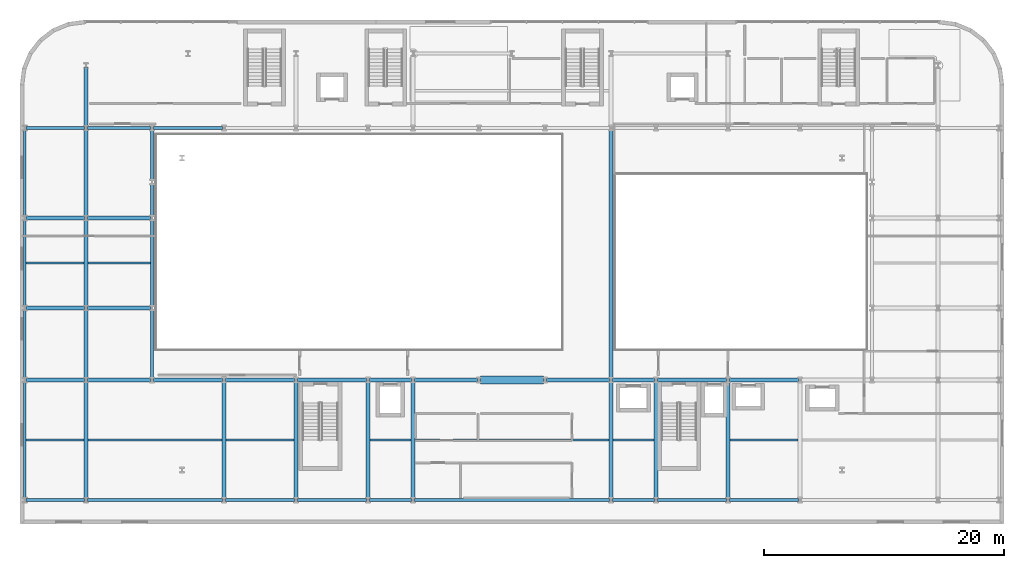
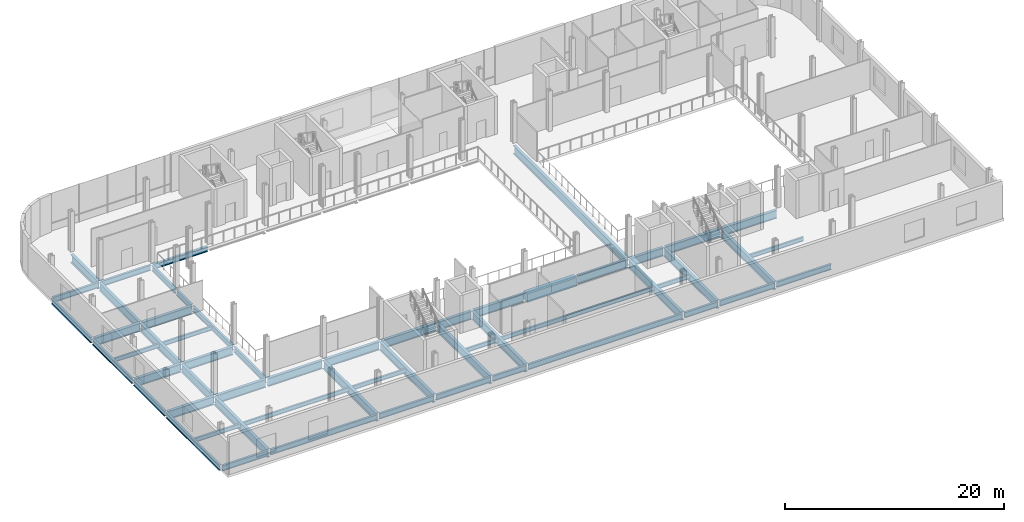
# One storey, part 3 of 25: 58 beams.
"""IFC4 building model written with IfcOpenShell, lengths in metres."""

from ifc_helpers import new_model, si_unit, direction, frame, origin, origin_2d, place, context, subcontext, project, spatial, rectangle, i_section, extrude, material, material_profile, profile_set, type_object, element, save


model = new_model("IFC4")

# Units and contexts
model_context = context("Model", 3, precision=1e-05, world=origin(), true_north=direction((0.0, 1.0)))
body_context = subcontext(model_context, "Body", "Model", "MODEL_VIEW")
ifc_project = project(units=[si_unit("LENGTHUNIT", "METRE"), si_unit("AREAUNIT", "SQUARE_METRE"), si_unit("VOLUMEUNIT", "CUBIC_METRE"), si_unit("PLANEANGLEUNIT", "RADIAN"), si_unit("MASSUNIT", "GRAM", prefix="KILO")], contexts=[model_context])

# Site, building, storey
site_placement = place(None, origin())
site = spatial("IfcSite", under=ifc_project, at=site_placement, CompositionType="ELEMENT")
building_placement = place(site_placement, origin())
building = spatial("IfcBuilding", under=site, at=building_placement, Name="Brevholm Reach", CompositionType="ELEMENT")
storey_placement = place(building_placement, frame((0.0, 0.0, 9.0)))
storey = spatial("IfcBuildingStorey", under=building, at=storey_placement, Name="L02", CompositionType="ELEMENT", Elevation=9.0)

# Beams
ifc_material_1 = material(Name="Structural Steel S355J2", Category="steel")
ifc_material_profile_1 = material_profile(ifc_material_1, i_section(OverallWidth=0.1904296875, OverallDepth=0.45703125, WebThickness=0.009033203125, FlangeThickness=0.014404296875, FilletRadius=0.01025390625, at=origin_2d()), Name="UKB 457x191x74")
ifc_profile_set_1 = profile_set([ifc_material_profile_1], Name="Structural Steel S355J2")
beam_type_1 = type_object("IfcBeamType", Name="BM-B457", PredefinedType="BEAM", material=ifc_profile_set_1)
beam_1_placement = place(storey_placement, frame((-10.485595703125, 5.0, -0.508544921875), z_axis=(1.0, 0.0, 0.0), x_axis=(0.0, 1.0, 0.0)))
element("IfcBeam", 1, at=beam_1_placement, inside=storey, type_object=beam_type_1, Name="L02 Composite Secondary Floor Beam", PredefinedType="BEAM", context=body_context, shape_type="SweptSolid", body=[
    extrude(i_section(OverallWidth=0.1904296875, OverallDepth=0.45703125, WebThickness=0.009033203125, FlangeThickness=0.014404296875, FilletRadius=0.01025390625, at=origin_2d()), origin(), (0.0, 0.0, 1.0), 4.831787109375),
])
beam_2_placement = place(storey_placement, frame((-5.34619140625, 5.0, -0.508544921875), z_axis=(1.0, 0.0, 0.0), x_axis=(0.0, 1.0, 0.0)))
element("IfcBeam", 2, at=beam_2_placement, inside=storey, type_object=beam_type_1, Name="L02 Composite Secondary Floor Beam", PredefinedType="BEAM", context=body_context, shape_type="SweptSolid", body=[
    extrude(i_section(OverallWidth=0.1904296875, OverallDepth=0.45703125, WebThickness=0.009033203125, FlangeThickness=0.014404296875, FilletRadius=0.01025390625, at=origin_2d()), origin(), (0.0, 0.0, 1.0), 11.1923828125),
])
beam_3_placement = place(storey_placement, frame((6.15380859375, 5.0, -0.508544921875), z_axis=(1.0, 0.0, 0.0), x_axis=(0.0, 1.0, 0.0)))
element("IfcBeam", 3, at=beam_3_placement, inside=storey, type_object=beam_type_1, Name="L02 Composite Secondary Floor Beam", PredefinedType="BEAM", context=body_context, shape_type="SweptSolid", body=[
    extrude(i_section(OverallWidth=0.1904296875, OverallDepth=0.45703125, WebThickness=0.009033203125, FlangeThickness=0.014404296875, FilletRadius=0.01025390625, at=origin_2d()), origin(), (0.0, 0.0, 1.0), 5.6923828125),
])
beam_4_placement = place(storey_placement, frame((18.15380859375, 5.0, -0.508544921875), z_axis=(1.0, 0.0, 0.0), x_axis=(0.0, 1.0, 0.0)))
element("IfcBeam", 4, at=beam_4_placement, inside=storey, type_object=beam_type_1, Name="L02 Composite Secondary Floor Beam", PredefinedType="BEAM", context=body_context, shape_type="SweptSolid", body=[
    extrude(i_section(OverallWidth=0.1904296875, OverallDepth=0.45703125, WebThickness=0.009033203125, FlangeThickness=0.014404296875, FilletRadius=0.01025390625, at=origin_2d()), origin(), (0.0, 0.0, 1.0), 3.4423828125),
])
beam_5_placement = place(storey_placement, frame((21.90380859375, 5.0, -0.508544921875), z_axis=(1.0, 0.0, 0.0), x_axis=(0.0, 1.0, 0.0)))
element("IfcBeam", 5, at=beam_5_placement, inside=storey, type_object=beam_type_1, Name="L02 Composite Secondary Floor Beam", PredefinedType="BEAM", context=body_context, shape_type="SweptSolid", body=[
    extrude(i_section(OverallWidth=0.1904296875, OverallDepth=0.45703125, WebThickness=0.009033203125, FlangeThickness=0.014404296875, FilletRadius=0.01025390625, at=origin_2d()), origin(), (0.0, 0.0, 1.0), 16.1923828125),
])
beam_6_placement = place(storey_placement, frame((38.40380859375, 5.0, -0.508544921875), z_axis=(1.0, 0.0, 0.0), x_axis=(0.0, 1.0, 0.0)))
element("IfcBeam", 6, at=beam_6_placement, inside=storey, type_object=beam_type_1, Name="L02 Composite Secondary Floor Beam", PredefinedType="BEAM", context=body_context, shape_type="SweptSolid", body=[
    extrude(i_section(OverallWidth=0.1904296875, OverallDepth=0.45703125, WebThickness=0.009033203125, FlangeThickness=0.014404296875, FilletRadius=0.01025390625, at=origin_2d()), origin(), (0.0, 0.0, 1.0), 3.4423828125),
])
beam_7_placement = place(storey_placement, frame((48.15380859375, 5.0, -0.508544921875), z_axis=(1.0, 0.0, 0.0), x_axis=(0.0, 1.0, 0.0)))
element("IfcBeam", 7, at=beam_7_placement, inside=storey, type_object=beam_type_1, Name="L02 Composite Secondary Floor Beam", PredefinedType="BEAM", context=body_context, shape_type="SweptSolid", body=[
    extrude(i_section(OverallWidth=0.1904296875, OverallDepth=0.45703125, WebThickness=0.009033203125, FlangeThickness=0.014404296875, FilletRadius=0.01025390625, at=origin_2d()), origin(), (0.0, 0.0, 1.0), 5.6923828125),
])
beam_8_placement = place(storey_placement, frame((-10.485595703125, 19.75, -0.508544921875), z_axis=(1.0, 0.0, 0.0), x_axis=(0.0, 1.0, 0.0)))
element("IfcBeam", 8, at=beam_8_placement, inside=storey, type_object=beam_type_1, Name="L02 Composite Secondary Floor Beam", PredefinedType="BEAM", context=body_context, shape_type="SweptSolid", body=[
    extrude(i_section(OverallWidth=0.1904296875, OverallDepth=0.45703125, WebThickness=0.009033203125, FlangeThickness=0.014404296875, FilletRadius=0.01025390625, at=origin_2d()), origin(), (0.0, 0.0, 1.0), 4.831787109375),
])
beam_9_placement = place(storey_placement, frame((-5.34619140625, 19.75, -0.508544921875), z_axis=(1.0, 0.0, 0.0), x_axis=(0.0, 1.0, 0.0)))
element("IfcBeam", 9, at=beam_9_placement, inside=storey, type_object=beam_type_1, Name="L02 Composite Secondary Floor Beam", PredefinedType="BEAM", context=body_context, shape_type="SweptSolid", body=[
    extrude(i_section(OverallWidth=0.1904296875, OverallDepth=0.45703125, WebThickness=0.009033203125, FlangeThickness=0.014404296875, FilletRadius=0.01025390625, at=origin_2d()), origin(), (0.0, 0.0, 1.0), 5.231689453125),
])
ifc_material_2 = material(Name="Concrete C60/75", Category="concrete")
ifc_material_profile_2 = material_profile(ifc_material_2, rectangle(XDim=0.64990234375, YDim=0.949951171875, at=origin_2d()), Name="RC 650x950")
ifc_profile_set_2 = profile_set([ifc_material_profile_2], Name="Concrete C60/75")
beam_type_2 = type_object("IfcBeamType", Name="BM-CB650", PredefinedType="LINTEL", material=ifc_profile_set_2)
beam_10_placement = place(storey_placement, frame((27.3701171875, 10.0, -0.7548828125), z_axis=(1.0, 0.0, 0.0), x_axis=(0.0, 1.0, 0.0)))
element("IfcBeam", 10, at=beam_10_placement, inside=storey, type_object=beam_type_2, Name="L02 CB-01 Framing Beam", PredefinedType="LINTEL", context=body_context, shape_type="SweptSolid", body=[
    extrude(rectangle(XDim=0.64990234375, YDim=0.949951171875, at=origin_2d()), origin(), (0.0, 0.0, 1.0), 5.259765625),
])
ifc_material_3 = material(Name="Structural Steel S355J2", Category="steel")
ifc_material_profile_3 = material_profile(ifc_material_3, i_section(OverallWidth=0.22900390625, OverallDepth=0.6123046875, WebThickness=0.011962890625, FlangeThickness=0.01953125, FilletRadius=0.0126953125, at=origin_2d()), Name="UKB 610x229x125")
ifc_profile_set_3 = profile_set([ifc_material_profile_3], Name="Structural Steel S355J2")
beam_type_3 = type_object("IfcBeamType", Name="BM-SP610", PredefinedType="SPANDREL", material=ifc_profile_set_3)
beam_11_placement = place(storey_placement, frame((-10.47998046875, 0.0, -0.586181640625), z_axis=(1.0, 0.0, 0.0), x_axis=(0.0, 1.0, 0.0)))
element("IfcBeam", 11, at=beam_11_placement, inside=storey, type_object=beam_type_3, Name="L02 SP-01 Framing Beam", PredefinedType="SPANDREL", context=body_context, shape_type="SweptSolid", body=[
    extrude(i_section(OverallWidth=0.22900390625, OverallDepth=0.6123046875, WebThickness=0.011962890625, FlangeThickness=0.01953125, FilletRadius=0.0126953125, at=origin_2d()), origin(), (0.0, 0.0, 1.0), 4.85986328125),
])
beam_12_placement = place(storey_placement, frame((-5.3798828125, 0.0, -0.586181640625), z_axis=(1.0, 0.0, 0.0), x_axis=(0.0, 1.0, 0.0)))
element("IfcBeam", 12, at=beam_12_placement, inside=storey, type_object=beam_type_3, Name="L02 SP-01 Framing Beam", PredefinedType="SPANDREL", context=body_context, shape_type="SweptSolid", body=[
    extrude(i_section(OverallWidth=0.22900390625, OverallDepth=0.6123046875, WebThickness=0.011962890625, FlangeThickness=0.01953125, FilletRadius=0.0126953125, at=origin_2d()), origin(), (0.0, 0.0, 1.0), 11.259765625),
])
for number, where, z_axis, x_axis, name in (
    (13, (6.1201171875, 0.0, -0.586181640625), (1.0, 0.0, 0.0), (0.0, 1.0, 0.0), "L02 SP-01 Framing Beam"),
    (14, (12.1201171875, 0.0, -0.586181640625), (1.0, 0.0, 0.0), (0.0, 1.0, 0.0), "L02 SP-01 Framing Beam"),
):
    element("IfcBeam", number, at=place(storey_placement, frame(where, z_axis=z_axis, x_axis=x_axis)), inside=storey, type_object=beam_type_3, Name=name, PredefinedType="SPANDREL", context=body_context, shape_type="SweptSolid", body=[
        extrude(i_section(OverallWidth=0.22900390625, OverallDepth=0.6123046875, WebThickness=0.011962890625, FlangeThickness=0.01953125, FilletRadius=0.0126953125, at=origin_2d()), origin(), (0.0, 0.0, 1.0), 5.759765625),
    ])
beam_13_placement = place(storey_placement, frame((18.1201171875, 0.0, -0.586181640625), z_axis=(1.0, 0.0, 0.0), x_axis=(0.0, 1.0, 0.0)))
element("IfcBeam", 15, at=beam_13_placement, inside=storey, type_object=beam_type_3, Name="L02 SP-01 Framing Beam", PredefinedType="SPANDREL", context=body_context, shape_type="SweptSolid", body=[
    extrude(i_section(OverallWidth=0.22900390625, OverallDepth=0.6123046875, WebThickness=0.011962890625, FlangeThickness=0.01953125, FilletRadius=0.0126953125, at=origin_2d()), origin(), (0.0, 0.0, 1.0), 3.509765625),
])
beam_14_placement = place(storey_placement, frame((21.8701171875, 0.0, -0.586181640625), z_axis=(1.0, 0.0, 0.0), x_axis=(0.0, 1.0, 0.0)))
element("IfcBeam", 16, at=beam_14_placement, inside=storey, type_object=beam_type_3, Name="L02 SP-01 Framing Beam", PredefinedType="SPANDREL", context=body_context, shape_type="SweptSolid", body=[
    extrude(i_section(OverallWidth=0.22900390625, OverallDepth=0.6123046875, WebThickness=0.011962890625, FlangeThickness=0.01953125, FilletRadius=0.0126953125, at=origin_2d()), origin(), (0.0, 0.0, 1.0), 16.259765625),
])
beam_15_placement = place(storey_placement, frame((38.3701171875, 0.0, -0.586181640625), z_axis=(1.0, 0.0, 0.0), x_axis=(0.0, 1.0, 0.0)))
element("IfcBeam", 17, at=beam_15_placement, inside=storey, type_object=beam_type_3, Name="L02 SP-01 Framing Beam", PredefinedType="SPANDREL", context=body_context, shape_type="SweptSolid", body=[
    extrude(i_section(OverallWidth=0.22900390625, OverallDepth=0.6123046875, WebThickness=0.011962890625, FlangeThickness=0.01953125, FilletRadius=0.0126953125, at=origin_2d()), origin(), (0.0, 0.0, 1.0), 3.509765625),
])
for number, where, z_axis, x_axis, name in (
    (18, (42.1201171875, 0.0, -0.586181640625), (1.0, 0.0, 0.0), (0.0, 1.0, 0.0), "L02 SP-01 Framing Beam"),
    (19, (48.1201171875, 0.0, -0.586181640625), (1.0, 0.0, 0.0), (0.0, 1.0, 0.0), "L02 SP-01 Framing Beam"),
):
    element("IfcBeam", number, at=place(storey_placement, frame(where, z_axis=z_axis, x_axis=x_axis)), inside=storey, type_object=beam_type_3, Name=name, PredefinedType="SPANDREL", context=body_context, shape_type="SweptSolid", body=[
        extrude(i_section(OverallWidth=0.22900390625, OverallDepth=0.6123046875, WebThickness=0.011962890625, FlangeThickness=0.01953125, FilletRadius=0.0126953125, at=origin_2d()), origin(), (0.0, 0.0, 1.0), 5.759765625),
    ])
beam_16_placement = place(storey_placement, frame((-10.47998046875, 31.0, -0.586181640625), z_axis=(1.0, 0.0, 0.0), x_axis=(0.0, 1.0, 0.0)))
element("IfcBeam", 20, at=beam_16_placement, inside=storey, type_object=beam_type_3, Name="L02 SP-01 Framing Beam", PredefinedType="SPANDREL", context=body_context, shape_type="SweptSolid", body=[
    extrude(i_section(OverallWidth=0.22900390625, OverallDepth=0.6123046875, WebThickness=0.011962890625, FlangeThickness=0.01953125, FilletRadius=0.0126953125, at=origin_2d()), origin(), (0.0, 0.0, 1.0), 4.85986328125),
])
beam_17_placement = place(storey_placement, frame((-5.3798828125, 31.0, -0.586181640625), z_axis=(1.0, 0.0, 0.0), x_axis=(0.0, 1.0, 0.0)))
element("IfcBeam", 21, at=beam_17_placement, inside=storey, type_object=beam_type_3, Name="L02 SP-01 Framing Beam", PredefinedType="SPANDREL", context=body_context, shape_type="SweptSolid", body=[
    extrude(i_section(OverallWidth=0.22900390625, OverallDepth=0.6123046875, WebThickness=0.011962890625, FlangeThickness=0.01953125, FilletRadius=0.0126953125, at=origin_2d()), origin(), (0.0, 0.0, 1.0), 5.259765625),
])
beam_18_placement = place(storey_placement, frame((0.1201171875, 31.0, -0.586181640625), z_axis=(1.0, 0.0, 0.0), x_axis=(0.0, 1.0, 0.0)))
element("IfcBeam", 22, at=beam_18_placement, inside=storey, type_object=beam_type_3, Name="L02 SP-01 Framing Beam", PredefinedType="SPANDREL", context=body_context, shape_type="SweptSolid", body=[
    extrude(i_section(OverallWidth=0.22900390625, OverallDepth=0.6123046875, WebThickness=0.011962890625, FlangeThickness=0.01953125, FilletRadius=0.0126953125, at=origin_2d()), origin(), (0.0, 0.0, 1.0), 5.759765625),
])
beam_19_placement = place(storey_placement, frame((-10.60009765625, 0.1201171875, -0.586181640625), z_axis=(0.0, 1.0, 0.0), x_axis=(-1.0, 0.0, 0.0)))
element("IfcBeam", 23, at=beam_19_placement, inside=storey, type_object=beam_type_3, Name="L02 SP-01 Framing Beam", PredefinedType="SPANDREL", context=body_context, shape_type="SweptSolid", body=[
    extrude(i_section(OverallWidth=0.22900390625, OverallDepth=0.6123046875, WebThickness=0.011962890625, FlangeThickness=0.01953125, FilletRadius=0.0126953125, at=origin_2d()), origin(), (0.0, 0.0, 1.0), 9.759765625),
])
beam_20_placement = place(storey_placement, frame((-10.60009765625, 10.1201171875, -0.586181640625), z_axis=(0.0, 1.0, 0.0), x_axis=(-1.0, 0.0, 0.0)))
element("IfcBeam", 24, at=beam_20_placement, inside=storey, type_object=beam_type_3, Name="L02 SP-01 Framing Beam", PredefinedType="SPANDREL", context=body_context, shape_type="SweptSolid", body=[
    extrude(i_section(OverallWidth=0.22900390625, OverallDepth=0.6123046875, WebThickness=0.011962890625, FlangeThickness=0.01953125, FilletRadius=0.0126953125, at=origin_2d()), origin(), (0.0, 0.0, 1.0), 5.759765625),
])
for number, where, z_axis, x_axis, name in (
    (25, (-10.60009765625, 16.1201171875, -0.586181640625), (0.0, 1.0, 0.0), (-1.0, 0.0, 0.0), "L02 SP-01 Framing Beam"),
    (26, (-10.60009765625, 23.6201171875, -0.586181640625), (0.0, 1.0, 0.0), (-1.0, 0.0, 0.0), "L02 SP-01 Framing Beam"),
):
    element("IfcBeam", number, at=place(storey_placement, frame(where, z_axis=z_axis, x_axis=x_axis)), inside=storey, type_object=beam_type_3, Name=name, PredefinedType="SPANDREL", context=body_context, shape_type="SweptSolid", body=[
        extrude(i_section(OverallWidth=0.22900390625, OverallDepth=0.6123046875, WebThickness=0.011962890625, FlangeThickness=0.01953125, FilletRadius=0.0126953125, at=origin_2d()), origin(), (0.0, 0.0, 1.0), 7.259765625),
    ])
beam_21_placement = place(storey_placement, frame((0.0, 10.1201171875, -0.586181640625), z_axis=(0.0, 1.0, 0.0), x_axis=(-1.0, 0.0, 0.0)))
element("IfcBeam", 27, at=beam_21_placement, inside=storey, type_object=beam_type_3, Name="L02 SP-01 Framing Beam", PredefinedType="SPANDREL", context=body_context, shape_type="SweptSolid", body=[
    extrude(i_section(OverallWidth=0.22900390625, OverallDepth=0.6123046875, WebThickness=0.011962890625, FlangeThickness=0.01953125, FilletRadius=0.0126953125, at=origin_2d()), origin(), (0.0, 0.0, 1.0), 5.759765625),
])
beam_22_placement = place(storey_placement, frame((0.0, 16.1201171875, -0.586181640625), z_axis=(0.0, 1.0, 0.0), x_axis=(-1.0, 0.0, 0.0)))
element("IfcBeam", 28, at=beam_22_placement, inside=storey, type_object=beam_type_3, Name="L02 SP-01 Framing Beam", PredefinedType="SPANDREL", context=body_context, shape_type="SweptSolid", body=[
    extrude(i_section(OverallWidth=0.22900390625, OverallDepth=0.6123046875, WebThickness=0.011962890625, FlangeThickness=0.01953125, FilletRadius=0.0126953125, at=origin_2d()), origin(), (0.0, 0.0, 1.0), 7.259765625),
])
beam_23_placement = place(storey_placement, frame((0.0, 23.6201171875, -0.586181640625), z_axis=(0.0, 1.0, 0.0), x_axis=(-1.0, 0.0, 0.0)))
element("IfcBeam", 29, at=beam_23_placement, inside=storey, type_object=beam_type_3, Name="L02 SP-01 Framing Beam", PredefinedType="SPANDREL", context=body_context, shape_type="SweptSolid", body=[
    extrude(i_section(OverallWidth=0.22900390625, OverallDepth=0.6123046875, WebThickness=0.011962890625, FlangeThickness=0.01953125, FilletRadius=0.0126953125, at=origin_2d()), origin(), (0.0, 0.0, 1.0), 2.759765625),
])
beam_24_placement = place(storey_placement, frame((0.0, 26.6201171875, -0.586181640625), z_axis=(0.0, 1.0, 0.0), x_axis=(-1.0, 0.0, 0.0)))
element("IfcBeam", 30, at=beam_24_placement, inside=storey, type_object=beam_type_3, Name="L02 SP-01 Framing Beam", PredefinedType="SPANDREL", context=body_context, shape_type="SweptSolid", body=[
    extrude(i_section(OverallWidth=0.22900390625, OverallDepth=0.6123046875, WebThickness=0.011962890625, FlangeThickness=0.01953125, FilletRadius=0.0126953125, at=origin_2d()), origin(), (0.0, 0.0, 1.0), 4.259765625),
])
ifc_material_4 = material(Name="Structural Steel S460ML", Category="steel")
ifc_material_profile_4 = material_profile(ifc_material_4, i_section(OverallWidth=0.3076171875, OverallDepth=0.926513671875, WebThickness=0.01953125, FlangeThickness=0.031982421875, FilletRadius=0.01904296875, at=origin_2d()), Name="UKB 914x305x289")
ifc_profile_set_4 = profile_set([ifc_material_profile_4], Name="Structural Steel S460ML")
beam_type_4 = type_object("IfcBeamType", Name="BM-UKB914B", PredefinedType="USERDEFINED", material=ifc_profile_set_4)
beam_25_placement = place(storey_placement, frame((-10.47998046875, 10.0, -0.743408203125), z_axis=(1.0, 0.0, 0.0), x_axis=(0.0, 1.0, 0.0)))
element("IfcBeam", 31, at=beam_25_placement, inside=storey, type_object=beam_type_4, Name="L02 G-02B Framing Beam", ObjectType="GIRDER", PredefinedType="USERDEFINED", context=body_context, shape_type="SweptSolid", body=[
    extrude(i_section(OverallWidth=0.3076171875, OverallDepth=0.926513671875, WebThickness=0.01953125, FlangeThickness=0.031982421875, FilletRadius=0.01904296875, at=origin_2d()), origin(), (0.0, 0.0, 1.0), 4.85986328125),
])
beam_26_placement = place(storey_placement, frame((-5.3798828125, 10.0, -0.743408203125), z_axis=(1.0, 0.0, 0.0), x_axis=(0.0, 1.0, 0.0)))
element("IfcBeam", 32, at=beam_26_placement, inside=storey, type_object=beam_type_4, Name="L02 G-02B Framing Beam", ObjectType="GIRDER", PredefinedType="USERDEFINED", context=body_context, shape_type="SweptSolid", body=[
    extrude(i_section(OverallWidth=0.3076171875, OverallDepth=0.926513671875, WebThickness=0.01953125, FlangeThickness=0.031982421875, FilletRadius=0.01904296875, at=origin_2d()), origin(), (0.0, 0.0, 1.0), 5.259765625),
])
for number, where, z_axis, x_axis, name in (
    (33, (0.1201171875, 10.0, -0.743408203125), (1.0, 0.0, 0.0), (0.0, 1.0, 0.0), "L02 G-02B Framing Beam"),
    (34, (6.1201171875, 10.0, -0.743408203125), (1.0, 0.0, 0.0), (0.0, 1.0, 0.0), "L02 G-02B Framing Beam"),
    (35, (12.1201171875, 10.0, -0.743408203125), (1.0, 0.0, 0.0), (0.0, 1.0, 0.0), "L02 G-02B Framing Beam"),
):
    element("IfcBeam", number, at=place(storey_placement, frame(where, z_axis=z_axis, x_axis=x_axis)), inside=storey, type_object=beam_type_4, Name=name, ObjectType="GIRDER", PredefinedType="USERDEFINED", context=body_context, shape_type="SweptSolid", body=[
        extrude(i_section(OverallWidth=0.3076171875, OverallDepth=0.926513671875, WebThickness=0.01953125, FlangeThickness=0.031982421875, FilletRadius=0.01904296875, at=origin_2d()), origin(), (0.0, 0.0, 1.0), 5.759765625),
    ])
beam_27_placement = place(storey_placement, frame((18.1201171875, 10.0, -0.743408203125), z_axis=(1.0, 0.0, 0.0), x_axis=(0.0, 1.0, 0.0)))
element("IfcBeam", 36, at=beam_27_placement, inside=storey, type_object=beam_type_4, Name="L02 G-02B Framing Beam", ObjectType="GIRDER", PredefinedType="USERDEFINED", context=body_context, shape_type="SweptSolid", body=[
    extrude(i_section(OverallWidth=0.3076171875, OverallDepth=0.926513671875, WebThickness=0.01953125, FlangeThickness=0.031982421875, FilletRadius=0.01904296875, at=origin_2d()), origin(), (0.0, 0.0, 1.0), 3.509765625),
])
for number, where, z_axis, x_axis, name in (
    (37, (21.8701171875, 10.0, -0.743408203125), (1.0, 0.0, 0.0), (0.0, 1.0, 0.0), "L02 G-02B Framing Beam"),
    (38, (32.8701171875, 10.0, -0.743408203125), (1.0, 0.0, 0.0), (0.0, 1.0, 0.0), "L02 G-02B Framing Beam"),
):
    element("IfcBeam", number, at=place(storey_placement, frame(where, z_axis=z_axis, x_axis=x_axis)), inside=storey, type_object=beam_type_4, Name=name, ObjectType="GIRDER", PredefinedType="USERDEFINED", context=body_context, shape_type="SweptSolid", body=[
        extrude(i_section(OverallWidth=0.3076171875, OverallDepth=0.926513671875, WebThickness=0.01953125, FlangeThickness=0.031982421875, FilletRadius=0.01904296875, at=origin_2d()), origin(), (0.0, 0.0, 1.0), 5.259765625),
    ])
beam_28_placement = place(storey_placement, frame((38.3701171875, 10.0, -0.743408203125), z_axis=(1.0, 0.0, 0.0), x_axis=(0.0, 1.0, 0.0)))
element("IfcBeam", 39, at=beam_28_placement, inside=storey, type_object=beam_type_4, Name="L02 G-02B Framing Beam", ObjectType="GIRDER", PredefinedType="USERDEFINED", context=body_context, shape_type="SweptSolid", body=[
    extrude(i_section(OverallWidth=0.3076171875, OverallDepth=0.926513671875, WebThickness=0.01953125, FlangeThickness=0.031982421875, FilletRadius=0.01904296875, at=origin_2d()), origin(), (0.0, 0.0, 1.0), 3.509765625),
])
for number, where, z_axis, x_axis, name in (
    (40, (42.1201171875, 10.0, -0.743408203125), (1.0, 0.0, 0.0), (0.0, 1.0, 0.0), "L02 G-02B Framing Beam"),
    (41, (48.1201171875, 10.0, -0.743408203125), (1.0, 0.0, 0.0), (0.0, 1.0, 0.0), "L02 G-02B Framing Beam"),
):
    element("IfcBeam", number, at=place(storey_placement, frame(where, z_axis=z_axis, x_axis=x_axis)), inside=storey, type_object=beam_type_4, Name=name, ObjectType="GIRDER", PredefinedType="USERDEFINED", context=body_context, shape_type="SweptSolid", body=[
        extrude(i_section(OverallWidth=0.3076171875, OverallDepth=0.926513671875, WebThickness=0.01953125, FlangeThickness=0.031982421875, FilletRadius=0.01904296875, at=origin_2d()), origin(), (0.0, 0.0, 1.0), 5.759765625),
    ])
beam_29_placement = place(storey_placement, frame((-10.47998046875, 16.0, -0.743408203125), z_axis=(1.0, 0.0, 0.0), x_axis=(0.0, 1.0, 0.0)))
element("IfcBeam", 42, at=beam_29_placement, inside=storey, type_object=beam_type_4, Name="L02 G-02B Framing Beam", ObjectType="GIRDER", PredefinedType="USERDEFINED", context=body_context, shape_type="SweptSolid", body=[
    extrude(i_section(OverallWidth=0.3076171875, OverallDepth=0.926513671875, WebThickness=0.01953125, FlangeThickness=0.031982421875, FilletRadius=0.01904296875, at=origin_2d()), origin(), (0.0, 0.0, 1.0), 4.85986328125),
])
beam_30_placement = place(storey_placement, frame((-5.3798828125, 16.0, -0.743408203125), z_axis=(1.0, 0.0, 0.0), x_axis=(0.0, 1.0, 0.0)))
element("IfcBeam", 43, at=beam_30_placement, inside=storey, type_object=beam_type_4, Name="L02 G-02B Framing Beam", ObjectType="GIRDER", PredefinedType="USERDEFINED", context=body_context, shape_type="SweptSolid", body=[
    extrude(i_section(OverallWidth=0.3076171875, OverallDepth=0.926513671875, WebThickness=0.01953125, FlangeThickness=0.031982421875, FilletRadius=0.01904296875, at=origin_2d()), origin(), (0.0, 0.0, 1.0), 5.259765625),
])
beam_31_placement = place(storey_placement, frame((-10.47998046875, 23.5, -0.743408203125), z_axis=(1.0, 0.0, 0.0), x_axis=(0.0, 1.0, 0.0)))
element("IfcBeam", 44, at=beam_31_placement, inside=storey, type_object=beam_type_4, Name="L02 G-02B Framing Beam", ObjectType="GIRDER", PredefinedType="USERDEFINED", context=body_context, shape_type="SweptSolid", body=[
    extrude(i_section(OverallWidth=0.3076171875, OverallDepth=0.926513671875, WebThickness=0.01953125, FlangeThickness=0.031982421875, FilletRadius=0.01904296875, at=origin_2d()), origin(), (0.0, 0.0, 1.0), 4.85986328125),
])
beam_32_placement = place(storey_placement, frame((-5.3798828125, 23.5, -0.743408203125), z_axis=(1.0, 0.0, 0.0), x_axis=(0.0, 1.0, 0.0)))
element("IfcBeam", 45, at=beam_32_placement, inside=storey, type_object=beam_type_4, Name="L02 G-02B Framing Beam", ObjectType="GIRDER", PredefinedType="USERDEFINED", context=body_context, shape_type="SweptSolid", body=[
    extrude(i_section(OverallWidth=0.3076171875, OverallDepth=0.926513671875, WebThickness=0.01953125, FlangeThickness=0.031982421875, FilletRadius=0.01904296875, at=origin_2d()), origin(), (0.0, 0.0, 1.0), 5.259765625),
])
beam_33_placement = place(storey_placement, frame((-5.5, 0.1201171875, -0.743408203125), z_axis=(0.0, 1.0, 0.0), x_axis=(-1.0, 0.0, 0.0)))
element("IfcBeam", 46, at=beam_33_placement, inside=storey, type_object=beam_type_4, Name="L02 G-02B Framing Beam", ObjectType="GIRDER", PredefinedType="USERDEFINED", context=body_context, shape_type="SweptSolid", body=[
    extrude(i_section(OverallWidth=0.3076171875, OverallDepth=0.926513671875, WebThickness=0.01953125, FlangeThickness=0.031982421875, FilletRadius=0.01904296875, at=origin_2d()), origin(), (0.0, 0.0, 1.0), 9.759765625),
])
beam_34_placement = place(storey_placement, frame((-5.5, 10.1201171875, -0.743408203125), z_axis=(0.0, 1.0, 0.0), x_axis=(-1.0, 0.0, 0.0)))
element("IfcBeam", 47, at=beam_34_placement, inside=storey, type_object=beam_type_4, Name="L02 G-02B Framing Beam", ObjectType="GIRDER", PredefinedType="USERDEFINED", context=body_context, shape_type="SweptSolid", body=[
    extrude(i_section(OverallWidth=0.3076171875, OverallDepth=0.926513671875, WebThickness=0.01953125, FlangeThickness=0.031982421875, FilletRadius=0.01904296875, at=origin_2d()), origin(), (0.0, 0.0, 1.0), 5.759765625),
])
for number, where, z_axis, x_axis, name in (
    (48, (-5.5, 16.1201171875, -0.743408203125), (0.0, 1.0, 0.0), (-1.0, 0.0, 0.0), "L02 G-02B Framing Beam"),
    (49, (-5.5, 23.6201171875, -0.743408203125), (0.0, 1.0, 0.0), (-1.0, 0.0, 0.0), "L02 G-02B Framing Beam"),
):
    element("IfcBeam", number, at=place(storey_placement, frame(where, z_axis=z_axis, x_axis=x_axis)), inside=storey, type_object=beam_type_4, Name=name, ObjectType="GIRDER", PredefinedType="USERDEFINED", context=body_context, shape_type="SweptSolid", body=[
        extrude(i_section(OverallWidth=0.3076171875, OverallDepth=0.926513671875, WebThickness=0.01953125, FlangeThickness=0.031982421875, FilletRadius=0.01904296875, at=origin_2d()), origin(), (0.0, 0.0, 1.0), 7.259765625),
    ])
beam_35_placement = place(storey_placement, frame((-5.5, 31.1201171875, -0.743408203125), z_axis=(0.0, 1.0, 0.0), x_axis=(-1.0, 0.0, 0.0)))
element("IfcBeam", 50, at=beam_35_placement, inside=storey, type_object=beam_type_4, Name="L02 G-02B Framing Beam", ObjectType="GIRDER", PredefinedType="USERDEFINED", context=body_context, shape_type="SweptSolid", body=[
    extrude(i_section(OverallWidth=0.3076171875, OverallDepth=0.926513671875, WebThickness=0.01953125, FlangeThickness=0.031982421875, FilletRadius=0.01904296875, at=origin_2d()), origin(), (0.0, 0.0, 1.0), 4.9599609375),
])
for number, where, z_axis, x_axis, name in (
    (51, (6.0, 0.1201171875, -0.743408203125), (0.0, 1.0, 0.0), (-1.0, 0.0, 0.0), "L02 G-02B Framing Beam"),
    (52, (12.0, 0.1201171875, -0.743408203125), (0.0, 1.0, 0.0), (-1.0, 0.0, 0.0), "L02 G-02B Framing Beam"),
    (53, (18.0, 0.1201171875, -0.743408203125), (0.0, 1.0, 0.0), (-1.0, 0.0, 0.0), "L02 G-02B Framing Beam"),
    (54, (21.75, 0.1201171875, -0.743408203125), (0.0, 1.0, 0.0), (-1.0, 0.0, 0.0), "L02 G-02B Framing Beam"),
    (55, (38.25, 0.1201171875, -0.743408203125), (0.0, 1.0, 0.0), (-1.0, 0.0, 0.0), "L02 G-02B Framing Beam"),
):
    element("IfcBeam", number, at=place(storey_placement, frame(where, z_axis=z_axis, x_axis=x_axis)), inside=storey, type_object=beam_type_4, Name=name, ObjectType="GIRDER", PredefinedType="USERDEFINED", context=body_context, shape_type="SweptSolid", body=[
        extrude(i_section(OverallWidth=0.3076171875, OverallDepth=0.926513671875, WebThickness=0.01953125, FlangeThickness=0.031982421875, FilletRadius=0.01904296875, at=origin_2d()), origin(), (0.0, 0.0, 1.0), 9.759765625),
    ])
beam_36_placement = place(storey_placement, frame((38.25, 10.1201171875, -0.743408203125), z_axis=(0.0, 1.0, 0.0), x_axis=(-1.0, 0.0, 0.0)))
element("IfcBeam", 56, at=beam_36_placement, inside=storey, type_object=beam_type_4, Name="L02 G-02B Framing Beam", ObjectType="GIRDER", PredefinedType="USERDEFINED", context=body_context, shape_type="SweptSolid", body=[
    extrude(i_section(OverallWidth=0.3076171875, OverallDepth=0.926513671875, WebThickness=0.01953125, FlangeThickness=0.031982421875, FilletRadius=0.01904296875, at=origin_2d()), origin(), (0.0, 0.0, 1.0), 20.759765625),
])
for number, where, z_axis, x_axis, name in (
    (57, (42.0, 0.1201171875, -0.743408203125), (0.0, 1.0, 0.0), (-1.0, 0.0, 0.0), "L02 G-02B Framing Beam"),
    (58, (48.0, 0.1201171875, -0.743408203125), (0.0, 1.0, 0.0), (-1.0, 0.0, 0.0), "L02 G-02B Framing Beam"),
):
    element("IfcBeam", number, at=place(storey_placement, frame(where, z_axis=z_axis, x_axis=x_axis)), inside=storey, type_object=beam_type_4, Name=name, ObjectType="GIRDER", PredefinedType="USERDEFINED", context=body_context, shape_type="SweptSolid", body=[
        extrude(i_section(OverallWidth=0.3076171875, OverallDepth=0.926513671875, WebThickness=0.01953125, FlangeThickness=0.031982421875, FilletRadius=0.01904296875, at=origin_2d()), origin(), (0.0, 0.0, 1.0), 9.759765625),
    ])

save(model, "model.ifc")
